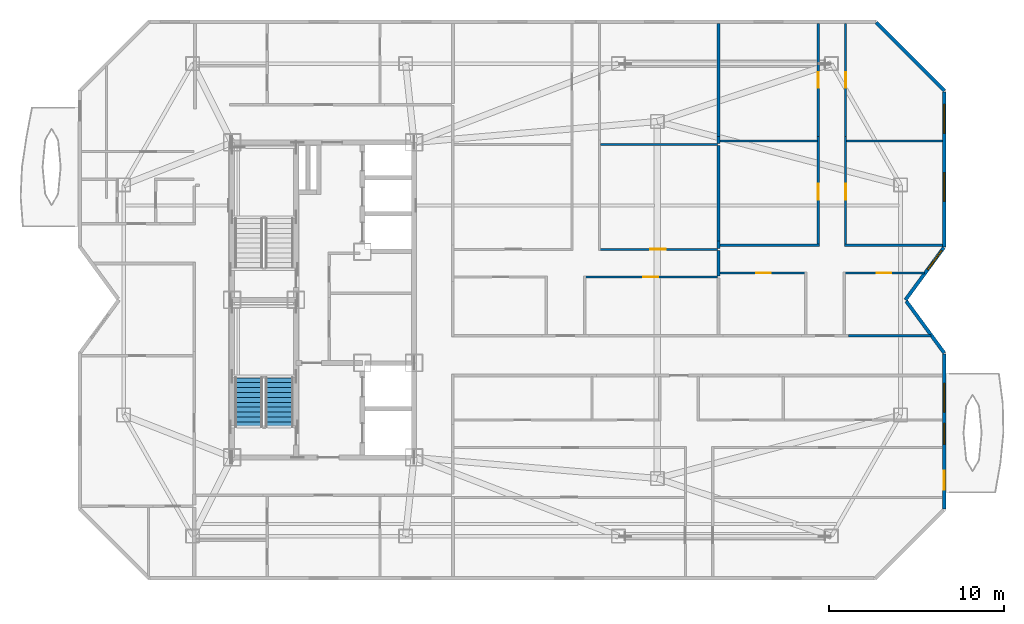
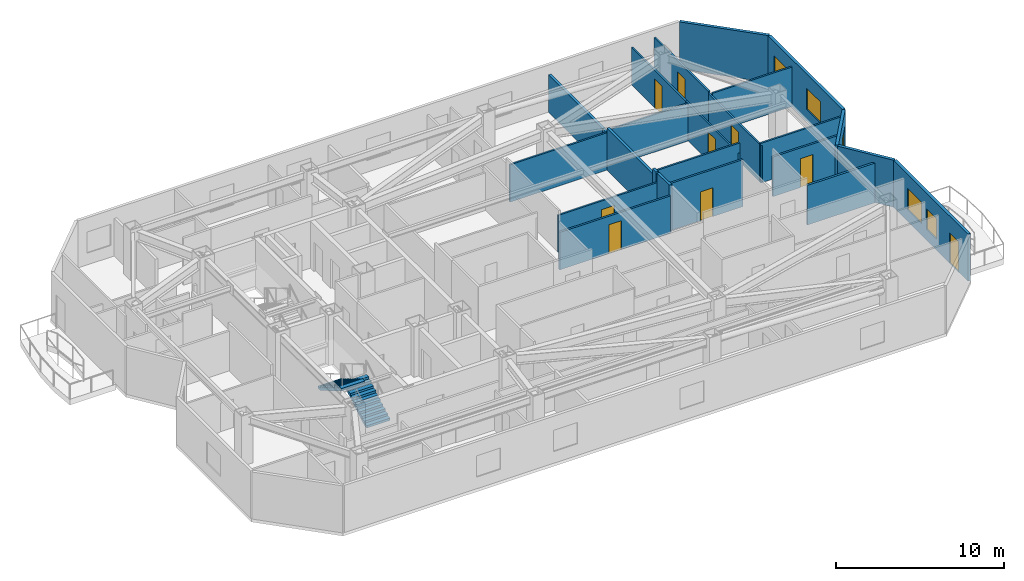
# One storey, part 8 of 11: 24 walls, 9 doors, 5 windows, 2 stair flights, 14 openings, 1 element without a shape of its own.
"""IFC4 building model written with IfcOpenShell, lengths in metres."""

from ifc_helpers import new_model, si_unit, direction, frame, frame_2d, origin, place, context, subcontext, project, spatial, polyline, rectangle, outline, extrude, material, layer, layer_set, type_object, element, fill, aggregate, save


model = new_model("IFC4")

# Units and contexts
model_context = context("Model", 3, precision=1e-05, world=origin(), true_north=direction((0.0, 1.0)))
body_context = subcontext(model_context, "Body", "Model", "MODEL_VIEW")
ifc_project = project(units=[si_unit("LENGTHUNIT", "METRE"), si_unit("AREAUNIT", "SQUARE_METRE"), si_unit("VOLUMEUNIT", "CUBIC_METRE"), si_unit("PLANEANGLEUNIT", "RADIAN"), si_unit("MASSUNIT", "GRAM", prefix="KILO")], contexts=[model_context])

# Site, building, storey
site_placement = place(None, origin())
site = spatial("IfcSite", under=ifc_project, at=site_placement, CompositionType="ELEMENT")
building_placement = place(site_placement, origin())
building = spatial("IfcBuilding", under=site, at=building_placement, Name="Khamvora Tower", CompositionType="ELEMENT")
storey_placement = place(building_placement, frame((0.0, 0.0, 239.10009765625)))
storey = spatial("IfcBuildingStorey", under=building, at=storey_placement, Name="L61", CompositionType="ELEMENT", Elevation=239.10009765625)

# Walls
ifc_material_1 = material(Name="Fire-Rated Drywall and Steel Stud", Category="steel")
ifc_layer_1 = layer(ifc_material_1, 0.14990234375)
ifc_layer_set_1 = layer_set([ifc_layer_1], Name="Fire-Rated Drywall and Steel Stud")
wall_type_1 = type_object("IfcWallType", Name="WAL-CORR-150", PredefinedType="STANDARD", material=ifc_layer_set_1)
wall_1_placement = place(storey_placement, frame((64.238037109375, 25.965087890625, 0.0), z_axis=(0.0, 0.0, 1.0), x_axis=(1.0, 0.0, 0.0)))
element("IfcWall", 1, at=wall_1_placement, inside=storey, type_object=wall_type_1, Name="L61 interior partition wall 034", PredefinedType="STANDARD", context=body_context, shape_type="SweptSolid", body=[
    extrude(rectangle(XDim=4.702880859375, YDim=0.14990234375, at=frame_2d((2.3515625, 0.0))), origin(), (0.0, 0.0, 1.0), 2.886962890625),
])
ifc_material_2 = material(Name="Acoustic Double-Stud Fire Wall", Category="gypsum")
ifc_layer_2 = layer(ifc_material_2, 0.179931640625)
ifc_layer_set_2 = layer_set([ifc_layer_2], Name="Acoustic Double-Stud Fire Wall")
wall_type_2 = type_object("IfcWallType", Name="WAL-CORR-180", PredefinedType="STANDARD", material=ifc_layer_set_2)
wall_2_placement = place(storey_placement, frame((56.804931640625, 30.824951171875, 0.0), z_axis=(0.0, 0.0, 1.0), x_axis=(0.0, -1.0, 0.0)))
element("IfcWall", 2, at=wall_2_placement, inside=storey, type_object=wall_type_2, Name="L61 interior partition wall 087", PredefinedType="STANDARD", context=body_context, shape_type="SweptSolid", body=[
    extrude(rectangle(XDim=1.449951171875, YDim=0.179931640625, at=frame_2d((0.72509765625, 0.0))), origin(), (0.0, 0.0, 1.0), 3.429931640625),
])
wall_3_placement = place(storey_placement, frame((56.804931640625, 31.3740234375, 0.0), z_axis=(0.0, 0.0, 1.0), x_axis=(0.0, -1.0, 0.0)))
element("IfcWall", 3, at=wall_3_placement, inside=storey, type_object=wall_type_2, Name="L61 interior partition wall 091", PredefinedType="STANDARD", context=body_context, shape_type="SweptSolid", body=[
    extrude(rectangle(XDim=0.4189453125, YDim=0.179931640625, at=frame_2d((0.20947265625, 0.0))), origin(), (0.0, 0.0, 1.0), 3.429931640625),
])
wall_4_placement = place(storey_placement, frame((56.804931640625, 36.822021484375, 0.0), z_axis=(0.0, 0.0, 1.0), x_axis=(0.0, -1.0, 0.0)))
element("IfcWall", 4, at=wall_4_placement, inside=storey, type_object=wall_type_2, Name="L61 interior partition wall 092", PredefinedType="STANDARD", context=body_context, shape_type="SweptSolid", body=[
    extrude(rectangle(XDim=5.447998046875, YDim=0.179931640625, at=frame_2d((2.72412109375, 0.0))), origin(), (0.0, 0.0, 1.0), 3.06494140625),
])
wall_5_placement = place(storey_placement, frame((56.804931640625, 37.339111328125, 0.0), z_axis=(0.0, 0.0, 1.0), x_axis=(0.0, -1.0, 0.0)))
element("IfcWall", 5, at=wall_5_placement, inside=storey, type_object=wall_type_2, Name="L61 interior partition wall 093", PredefinedType="STANDARD", context=body_context, shape_type="SweptSolid", body=[
    extrude(rectangle(XDim=0.38720703125, YDim=0.179931640625, at=frame_2d((0.193603515625, 0.0))), origin(), (0.0, 0.0, 1.0), 2.724853515625),
])
wall_6_placement = place(storey_placement, frame((56.804931640625, 43.80810546875, 0.0), z_axis=(0.0, 0.0, 1.0), x_axis=(0.0, -1.0, 0.0)))
element("IfcWall", 6, at=wall_6_placement, inside=storey, type_object=wall_type_2, Name="L61 interior partition wall 094", PredefinedType="STANDARD", context=body_context, shape_type="SweptSolid", body=[
    extrude(rectangle(XDim=6.468994140625, YDim=0.179931640625, at=frame_2d((3.234375, 0.0))), origin(), (0.0, 0.0, 1.0), 2.724853515625),
])
ifc_material_3 = material(Name="Precast concrete C40/50", Category="concrete")
ifc_layer_3 = layer(ifc_material_3, 0.199951171875)
ifc_layer_set_3 = layer_set([ifc_layer_3], Name="Precast concrete C40/50")
wall_type_3 = type_object("IfcWallType", Name="WAL-EXT-200", PredefinedType="STANDARD", material=ifc_layer_set_3)
wall_7_placement = place(storey_placement, frame((65.802001953125, 43.85693359375, 0.0), z_axis=(0.0, 0.0, 1.0), x_axis=(0.707106781187, -0.707106781187, 0.0)))
element("IfcWall", 7, at=wall_7_placement, inside=storey, type_object=wall_type_3, Name="L61 exterior facade wall 08.1", PredefinedType="STANDARD", context=body_context, shape_type="SweptSolid", body=[
    extrude(rectangle(XDim=5.512451171875, YDim=0.199951171875, at=frame_2d((2.75634765625, 0.0))), origin(), (0.0, 0.0, 1.0), 3.429931640625),
])

# Wall, openings, windows
wall_8_placement = place(storey_placement, frame((69.699951171875, 39.89599609375, 0.0), z_axis=(0.0, 0.0, 1.0), x_axis=(0.0, -1.0, 0.0)))
wall_8 = element("IfcWall", 8, at=wall_8_placement, inside=storey, type_object=wall_type_3, Name="L61 exterior facade wall 09.1", PredefinedType="STANDARD", context=body_context, shape_type="SweptSolid", body=[
    extrude(rectangle(XDim=8.863037109375, YDim=0.199951171875, at=frame_2d((4.431640625, 0.0))), origin(), (0.0, 0.0, 1.0), 3.429931640625),
])
opening_1_placement = place(wall_8_placement, frame((4.617919921875, 0.0, 0.85009765625)))
opening_1 = element("IfcOpeningElement", 9, at=opening_1_placement, cuts=wall_8, Name="Opening WN-06", PredefinedType="OPENING", context=body_context, shape_type="SweptSolid", body=[
    extrude(rectangle(XDim=1.64990234375, YDim=1.550048828125, at=frame_2d((0.824951171875, 0.77490234375))), frame((0.0, 0.10986328125, 0.0), z_axis=(0.0, -1.0, 0.0), x_axis=(1.0, 0.0, 0.0)), (0.0, 0.0, 1.0), 0.219970703125),
])
opening_2_placement = place(wall_8_placement, frame((0.720947265625, 0.0, 0.85009765625)))
opening_2 = element("IfcOpeningElement", 10, at=opening_2_placement, cuts=wall_8, Name="Opening WN-06", PredefinedType="OPENING", context=body_context, shape_type="SweptSolid", body=[
    extrude(rectangle(XDim=1.64990234375, YDim=1.550048828125, at=frame_2d((0.824951171875, 0.77490234375))), frame((0.0, 0.10986328125, 0.0), z_axis=(0.0, -1.0, 0.0), x_axis=(1.0, 0.0, 0.0)), (0.0, 0.0, 1.0), 0.219970703125),
])
ifc_material_4 = material(Name="Low-E Laminated Double Glazing", Category="glass")
window_type_1 = type_object("IfcWindowType", Name="WIN-VIS-1650x1550", PartitioningType="SINGLE_PANEL", PredefinedType="WINDOW", material=ifc_material_4)
window_1_placement = place(opening_1_placement, origin())
window_1 = element("IfcWindow", 11, at=window_1_placement, inside=storey, type_object=window_type_1, Name="L61 vision window 09.1.01", OverallHeight=1.550048828125, OverallWidth=1.64990234375, PartitioningType="SINGLE_PANEL", PredefinedType="WINDOW", context=body_context, shape_type="SweptSolid", body=[
    extrude(rectangle(XDim=1.64990234375, YDim=1.550048828125, at=frame_2d((0.824951171875, 0.77490234375))), frame((0.0, 0.030029296875, 0.0), z_axis=(0.0, -1.0, 0.0), x_axis=(1.0, 0.0, 0.0)), (0.0, 0.0, 1.0), 0.06005859375),
])
fill(opening_1, window_1)
window_2_placement = place(opening_2_placement, origin())
window_2 = element("IfcWindow", 12, at=window_2_placement, inside=storey, type_object=window_type_1, Name="L61 vision window 09.1.02", OverallHeight=1.550048828125, OverallWidth=1.64990234375, PartitioningType="SINGLE_PANEL", PredefinedType="WINDOW", context=body_context, shape_type="SweptSolid", body=[
    extrude(rectangle(XDim=1.64990234375, YDim=1.550048828125, at=frame_2d((0.824951171875, 0.77490234375))), frame((0.0, 0.030029296875, 0.0), z_axis=(0.0, -1.0, 0.0), x_axis=(1.0, 0.0, 0.0)), (0.0, 0.0, 1.0), 0.06005859375),
])
fill(opening_2, window_2)

# Wall, opening, window
wall_9_placement = place(storey_placement, frame((69.669921875, 30.991943359375, 0.0), z_axis=(0.0, 0.0, 1.0), x_axis=(-0.591320870733, -0.806436375566, 0.0)))
wall_9 = element("IfcWall", 13, at=wall_9_placement, inside=storey, type_object=wall_type_3, Name="L61 exterior facade wall 10.1", PredefinedType="STANDARD", context=body_context, shape_type="SweptSolid", body=[
    extrude(rectangle(XDim=3.7099609375, YDim=0.199951171875, at=frame_2d((1.85498046875, 0.0))), origin(), (0.0, 0.0, 1.0), 3.429931640625),
])
opening_3_placement = place(wall_9_placement, frame((0.208984375, 0.0, 0.85009765625)))
opening_3 = element("IfcOpeningElement", 14, at=opening_3_placement, cuts=wall_9, Name="Opening WN-07", PredefinedType="OPENING", context=body_context, shape_type="SweptSolid", body=[
    extrude(rectangle(XDim=1.35009765625, YDim=1.5, at=frame_2d((0.675048828125, 0.75))), frame((0.0, 0.10986328125, 0.0), z_axis=(0.0, -1.0, 0.0), x_axis=(1.0, 0.0, 0.0)), (0.0, 0.0, 1.0), 0.219970703125),
])
window_type_2 = type_object("IfcWindowType", Name="WIN-VIS-1350x1500", PartitioningType="SINGLE_PANEL", PredefinedType="WINDOW", material=ifc_material_4)
window_3_placement = place(opening_3_placement, origin())
window_3 = element("IfcWindow", 15, at=window_3_placement, inside=storey, type_object=window_type_2, Name="L61 vision window 10.1.01", OverallHeight=1.5, OverallWidth=1.35009765625, PartitioningType="SINGLE_PANEL", PredefinedType="WINDOW", context=body_context, shape_type="SweptSolid", body=[
    extrude(rectangle(XDim=1.35009765625, YDim=1.5, at=frame_2d((0.675048828125, 0.75))), frame((0.0, 0.030029296875, 0.0), z_axis=(0.0, -1.0, 0.0), x_axis=(1.0, 0.0, 0.0)), (0.0, 0.0, 1.0), 0.06005859375),
])
fill(opening_3, window_3)

# Wall
wall_10_placement = place(storey_placement, frame((67.527099609375, 27.930908203125, 0.0), z_axis=(0.0, 0.0, 1.0), x_axis=(0.591248456881, -0.80648946815, 0.0)))
element("IfcWall", 16, at=wall_10_placement, inside=storey, type_object=wall_type_3, Name="L61 exterior facade wall 11.1", PredefinedType="STANDARD", context=body_context, shape_type="SweptSolid", body=[
    extrude(rectangle(XDim=3.675048828125, YDim=0.199951171875, at=frame_2d((1.83740234375, 0.0))), origin(), (0.0, 0.0, 1.0), 3.429931640625),
])

# Wall, openings, door, windows
wall_11_placement = place(storey_placement, frame((69.699951171875, 24.916015625, 0.0), z_axis=(0.0, 0.0, 1.0), x_axis=(0.0, -1.0, 0.0)))
wall_11 = element("IfcWall", 17, at=wall_11_placement, inside=storey, type_object=wall_type_3, Name="L61 exterior facade wall 12.1", PredefinedType="STANDARD", context=body_context, shape_type="SweptSolid", body=[
    extrude(rectangle(XDim=8.875, YDim=0.199951171875, at=frame_2d((4.4375, 0.0))), origin(), (0.0, 0.0, 1.0), 3.429931640625),
])
opening_4_placement = place(wall_11_placement, frame((6.675048828125, 0.0, 0.0)))
opening_4 = element("IfcOpeningElement", 18, at=opening_4_placement, cuts=wall_11, Name="Opening BD-01", PredefinedType="OPENING", context=body_context, shape_type="SweptSolid", body=[
    extrude(rectangle(XDim=1.10009765625, YDim=2.199951171875, at=frame_2d((0.550048828125, 1.10009765625))), frame((0.0, 0.10986328125, 0.0), z_axis=(0.0, -1.0, 0.0), x_axis=(1.0, 0.0, 0.0)), (0.0, 0.0, 1.0), 0.219970703125),
])
opening_5_placement = place(wall_11_placement, frame((1.677001953125, 0.0, 0.85009765625)))
opening_5 = element("IfcOpeningElement", 19, at=opening_5_placement, cuts=wall_11, Name="Opening WN-06", PredefinedType="OPENING", context=body_context, shape_type="SweptSolid", body=[
    extrude(rectangle(XDim=1.64990234375, YDim=1.550048828125, at=frame_2d((0.824951171875, 0.77490234375))), frame((0.0, 0.10986328125, 0.0), z_axis=(0.0, -1.0, 0.0), x_axis=(1.0, 0.0, 0.0)), (0.0, 0.0, 1.0), 0.219970703125),
])
opening_6_placement = place(wall_11_placement, frame((3.962890625, 0.0, 0.800048828125)))
opening_6 = element("IfcOpeningElement", 20, at=opening_6_placement, cuts=wall_11, Name="Opening WN-03", PredefinedType="OPENING", context=body_context, shape_type="SweptSolid", body=[
    extrude(rectangle(XDim=1.199951171875, YDim=1.5, at=frame_2d((0.60009765625, 0.75))), frame((0.0, 0.10986328125, 0.0), z_axis=(0.0, -1.0, 0.0), x_axis=(1.0, 0.0, 0.0)), (0.0, 0.0, 1.0), 0.219970703125),
])
ifc_material_5 = material(Name="Anodised Aluminium and Laminated Safety Glass", Category="aluminium")
door_type_1 = type_object("IfcDoorType", Name="DOR-BAL-1100", OperationType="NOTDEFINED", PredefinedType="DOOR", material=ifc_material_5)
door_1_placement = place(opening_4_placement, origin())
door_1 = element("IfcDoor", 21, at=door_1_placement, inside=storey, type_object=door_type_1, Name="L61 lens gallery balcony door EL1", OperationType="SLIDING_TO_LEFT", OverallHeight=2.199951171875, OverallWidth=1.10009765625, PredefinedType="DOOR", context=body_context, shape_type="SweptSolid", body=[
    extrude(rectangle(XDim=1.10009765625, YDim=2.199951171875, at=frame_2d((0.550048828125, 1.10009765625))), frame((0.0, 0.02490234375, 0.0), z_axis=(0.0, -1.0, 0.0), x_axis=(1.0, 0.0, 0.0)), (0.0, 0.0, 1.0), 0.050048828125),
])
fill(opening_4, door_1)
window_type_3 = type_object("IfcWindowType", Name="WIN-VIS-1200x1500", PartitioningType="SINGLE_PANEL", PredefinedType="WINDOW", material=ifc_material_4)
window_4_placement = place(opening_6_placement, origin())
window_4 = element("IfcWindow", 22, at=window_4_placement, inside=storey, type_object=window_type_3, Name="L61 vision window 12.1.02", OverallHeight=1.5, OverallWidth=1.199951171875, PartitioningType="SINGLE_PANEL", PredefinedType="WINDOW", context=body_context, shape_type="SweptSolid", body=[
    extrude(rectangle(XDim=1.199951171875, YDim=1.5, at=frame_2d((0.60009765625, 0.75))), frame((0.0, 0.030029296875, 0.0), z_axis=(0.0, -1.0, 0.0), x_axis=(1.0, 0.0, 0.0)), (0.0, 0.0, 1.0), 0.06005859375),
])
fill(opening_6, window_4)
window_5_placement = place(opening_5_placement, origin())
window_5 = element("IfcWindow", 23, at=window_5_placement, inside=storey, type_object=window_type_1, Name="L61 vision window 12.1.01", OverallHeight=1.550048828125, OverallWidth=1.64990234375, PartitioningType="SINGLE_PANEL", PredefinedType="WINDOW", context=body_context, shape_type="SweptSolid", body=[
    extrude(rectangle(XDim=1.64990234375, YDim=1.550048828125, at=frame_2d((0.824951171875, 0.77490234375))), frame((0.0, 0.030029296875, 0.0), z_axis=(0.0, -1.0, 0.0), x_axis=(1.0, 0.0, 0.0)), (0.0, 0.0, 1.0), 0.06005859375),
])
fill(opening_5, window_5)

# Wall, opening, door
ifc_material_6 = material(Name="Gypsum Plasterboard Partition", Category="gypsum")
ifc_layer_4 = layer(ifc_material_6, 0.1201171875)
ifc_layer_set_4 = layer_set([ifc_layer_4], Name="Gypsum Plasterboard Partition")
wall_type_4 = type_object("IfcWallType", Name="WAL-PART-120", PredefinedType="PARTITIONING", material=ifc_layer_set_4)
wall_12_placement = place(storey_placement, frame((49.929931640625, 30.889892578125, 0.0), z_axis=(0.0, 0.0, 1.0), x_axis=(1.0, 0.0, 0.0)))
wall_12 = element("IfcWall", 24, at=wall_12_placement, inside=storey, type_object=wall_type_4, Name="L61 interior partition wall 085", PredefinedType="PARTITIONING", context=body_context, shape_type="SweptSolid", body=[
    extrude(rectangle(XDim=6.81005859375, YDim=0.1201171875, at=frame_2d((3.405029296875, 0.0))), origin(), (0.0, 0.0, 1.0), 2.724853515625),
])
opening_7_placement = place(wall_12_placement, frame((2.955078125, 0.0, 0.0)))
opening_7 = element("IfcOpeningElement", 25, at=opening_7_placement, cuts=wall_12, Name="Opening D-RM1", PredefinedType="OPENING", context=body_context, shape_type="SweptSolid", body=[
    extrude(rectangle(XDim=0.89990234375, YDim=2.10009765625, at=frame_2d((0.449951171875, 1.050048828125))), frame((0.0, 0.070068359375, 0.0), z_axis=(0.0, -1.0, 0.0), x_axis=(1.0, 0.0, 0.0)), (0.0, 0.0, 1.0), 0.14013671875),
])
ifc_material_7 = material(Name="Powder-Coated Steel and Hardwood Leaf", Category="steel")
door_type_2 = type_object("IfcDoorType", Name="DOR-ROOM-900", OperationType="NOTDEFINED", PredefinedType="DOOR", material=ifc_material_7)
door_2_placement = place(opening_7_placement, origin())
door_2 = element("IfcDoor", 26, at=door_2_placement, inside=storey, type_object=door_type_2, Name="L61 interior door 61EB1H-61EB1R3", OperationType="SINGLE_SWING_RIGHT", OverallHeight=2.10009765625, OverallWidth=0.89990234375, PredefinedType="DOOR", context=body_context, shape_type="SweptSolid", body=[
    extrude(rectangle(XDim=0.89990234375, YDim=2.10009765625, at=frame_2d((0.449951171875, 1.050048828125))), frame((0.0, 0.02490234375, 0.0), z_axis=(0.0, -1.0, 0.0), x_axis=(1.0, 0.0, 0.0)), (0.0, 0.0, 1.0), 0.050048828125),
])
fill(opening_7, door_2)

# Walls
wall_13_placement = place(storey_placement, frame((50.049072265625, 36.886962890625, 0.0), z_axis=(0.0, 0.0, 1.0), x_axis=(1.0, 0.0, 0.0)))
element("IfcWall", 27, at=wall_13_placement, inside=storey, type_object=wall_type_4, Name="L61 interior partition wall 090", PredefinedType="PARTITIONING", context=body_context, shape_type="SweptSolid", body=[
    extrude(rectangle(XDim=6.69091796875, YDim=0.1201171875, at=frame_2d((3.345458984375, 0.0))), origin(), (0.0, 0.0, 1.0), 2.724853515625),
])
wall_14_placement = place(storey_placement, frame((56.886962890625, 31.125, 0.0), z_axis=(0.0, 0.0, 1.0), x_axis=(1.0, 0.0, 0.0)))
element("IfcWall", 28, at=wall_14_placement, inside=storey, type_object=wall_type_4, Name="L61 interior partition wall 099", PredefinedType="PARTITIONING", context=body_context, shape_type="SweptSolid", body=[
    extrude(rectangle(XDim=5.673095703125, YDim=0.1201171875, at=frame_2d((2.83642578125, 0.0))), origin(), (0.0, 0.0, 1.0), 3.429931640625),
])

# Wall, opening, door
wall_15_placement = place(storey_placement, frame((62.4951171875, 31.06005859375, 0.0), z_axis=(0.0, 0.0, 1.0), x_axis=(0.0, 1.0, 0.0)))
wall_15 = element("IfcWall", 29, at=wall_15_placement, inside=storey, type_object=wall_type_4, Name="L61 interior partition wall 100", PredefinedType="PARTITIONING", context=body_context, shape_type="SweptSolid", body=[
    extrude(rectangle(XDim=6.279052734375, YDim=0.1201171875, at=frame_2d((3.1396484375, 0.0))), origin(), (0.0, 0.0, 1.0), 2.724853515625),
])
opening_8_placement = place(wall_15_placement, frame((2.66796875, 0.0, 0.0)))
opening_8 = element("IfcOpeningElement", 30, at=opening_8_placement, cuts=wall_15, Name="Opening D-RM1", PredefinedType="OPENING", context=body_context, shape_type="SweptSolid", body=[
    extrude(rectangle(XDim=0.89990234375, YDim=2.10009765625, at=frame_2d((0.449951171875, 1.050048828125))), frame((0.0, 0.070068359375, 0.0), z_axis=(0.0, -1.0, 0.0), x_axis=(1.0, 0.0, 0.0)), (0.0, 0.0, 1.0), 0.14013671875),
])
door_3_placement = place(opening_8_placement, origin())
door_3 = element("IfcDoor", 31, at=door_3_placement, inside=storey, type_object=door_type_2, Name="L61 interior door 61EB2H-61EB2L", OperationType="SINGLE_SWING_RIGHT", OverallHeight=2.10009765625, OverallWidth=0.89990234375, PredefinedType="DOOR", context=body_context, shape_type="SweptSolid", body=[
    extrude(rectangle(XDim=0.89990234375, YDim=2.10009765625, at=frame_2d((0.449951171875, 1.050048828125))), frame((0.0, 0.02490234375, 0.0), z_axis=(0.0, -1.0, 0.0), x_axis=(1.0, 0.0, 0.0)), (0.0, 0.0, 1.0), 0.050048828125),
])
fill(opening_8, door_3)

wall_16_placement = place(storey_placement, frame((62.4951171875, 37.339111328125, 0.0), z_axis=(0.0, 0.0, 1.0), x_axis=(0.0, 1.0, 0.0)))
wall_16 = element("IfcWall", 32, at=wall_16_placement, inside=storey, type_object=wall_type_4, Name="L61 interior partition wall 101", PredefinedType="PARTITIONING", context=body_context, shape_type="SweptSolid", body=[
    extrude(rectangle(XDim=6.468994140625, YDim=0.1201171875, at=frame_2d((3.234375, 0.0))), origin(), (0.0, 0.0, 1.0), 2.724853515625),
])
opening_9_placement = place(wall_16_placement, frame((2.783935546875, 0.0, 0.0)))
opening_9 = element("IfcOpeningElement", 33, at=opening_9_placement, cuts=wall_16, Name="Opening D-RM1", PredefinedType="OPENING", context=body_context, shape_type="SweptSolid", body=[
    extrude(rectangle(XDim=0.89990234375, YDim=2.10009765625, at=frame_2d((0.449951171875, 1.050048828125))), frame((0.0, 0.070068359375, 0.0), z_axis=(0.0, -1.0, 0.0), x_axis=(1.0, 0.0, 0.0)), (0.0, 0.0, 1.0), 0.14013671875),
])
door_4_placement = place(opening_9_placement, origin())
door_4 = element("IfcDoor", 34, at=door_4_placement, inside=storey, type_object=door_type_2, Name="L61 interior door 61EB2H-61EB2R2", OperationType="SINGLE_SWING_LEFT", OverallHeight=2.10009765625, OverallWidth=0.89990234375, PredefinedType="DOOR", context=body_context, shape_type="SweptSolid", body=[
    extrude(rectangle(XDim=0.89990234375, YDim=2.10009765625, at=frame_2d((0.449951171875, 1.050048828125))), frame((0.0, 0.02490234375, 0.0), z_axis=(0.0, -1.0, 0.0), x_axis=(1.0, 0.0, 0.0)), (0.0, 0.0, 1.0), 0.050048828125),
])
fill(opening_9, door_4)

wall_17_placement = place(storey_placement, frame((64.06494140625, 37.339111328125, 0.0), z_axis=(0.0, 0.0, 1.0), x_axis=(0.0, -1.0, 0.0)))
wall_17 = element("IfcWall", 35, at=wall_17_placement, inside=storey, type_object=wall_type_4, Name="L61 interior partition wall 102", PredefinedType="PARTITIONING", context=body_context, shape_type="SweptSolid", body=[
    extrude(rectangle(XDim=6.279052734375, YDim=0.1201171875, at=frame_2d((3.1396484375, 0.0))), origin(), (0.0, 0.0, 1.0), 2.724853515625),
])
opening_10_placement = place(wall_17_placement, frame((2.7109375, 0.0, 0.0)))
opening_10 = element("IfcOpeningElement", 36, at=opening_10_placement, cuts=wall_17, Name="Opening D-RM1", PredefinedType="OPENING", context=body_context, shape_type="SweptSolid", body=[
    extrude(rectangle(XDim=0.89990234375, YDim=2.10009765625, at=frame_2d((0.449951171875, 1.050048828125))), frame((0.0, 0.070068359375, 0.0), z_axis=(0.0, -1.0, 0.0), x_axis=(1.0, 0.0, 0.0)), (0.0, 0.0, 1.0), 0.14013671875),
])
door_5_placement = place(opening_10_placement, origin())
door_5 = element("IfcDoor", 37, at=door_5_placement, inside=storey, type_object=door_type_2, Name="L61 interior door 61EB2H-61EB2R3", OperationType="SINGLE_SWING_RIGHT", OverallHeight=2.10009765625, OverallWidth=0.89990234375, PredefinedType="DOOR", context=body_context, shape_type="SweptSolid", body=[
    extrude(rectangle(XDim=0.89990234375, YDim=2.10009765625, at=frame_2d((0.449951171875, 1.050048828125))), frame((0.0, 0.02490234375, 0.0), z_axis=(0.0, -1.0, 0.0), x_axis=(1.0, 0.0, 0.0)), (0.0, 0.0, 1.0), 0.050048828125),
])
fill(opening_10, door_5)

# Wall
wall_18_placement = place(storey_placement, frame((64.0, 31.125, 0.0), z_axis=(0.0, 0.0, 1.0), x_axis=(1.0, 0.0, 0.0)))
element("IfcWall", 38, at=wall_18_placement, inside=storey, type_object=wall_type_4, Name="L61 interior partition wall 103", PredefinedType="PARTITIONING", context=body_context, shape_type="SweptSolid", body=[
    extrude(rectangle(XDim=5.60791015625, YDim=0.1201171875, at=frame_2d((2.803955078125, 0.0))), origin(), (0.0, 0.0, 1.0), 2.886962890625),
])

# Wall, opening, door
wall_19_placement = place(storey_placement, frame((64.06494140625, 43.80810546875, 0.0), z_axis=(0.0, 0.0, 1.0), x_axis=(0.0, -1.0, 0.0)))
wall_19 = element("IfcWall", 39, at=wall_19_placement, inside=storey, type_object=wall_type_4, Name="L61 interior partition wall 104", PredefinedType="PARTITIONING", context=body_context, shape_type="SweptSolid", body=[
    extrude(rectangle(XDim=6.468994140625, YDim=0.1201171875, at=frame_2d((3.234375, 0.0))), origin(), (0.0, 0.0, 1.0), 2.886962890625),
])
opening_11_placement = place(wall_19_placement, frame((2.783935546875, 0.0, 0.0)))
opening_11 = element("IfcOpeningElement", 40, at=opening_11_placement, cuts=wall_19, Name="Opening D-RM1", PredefinedType="OPENING", context=body_context, shape_type="SweptSolid", body=[
    extrude(rectangle(XDim=0.89990234375, YDim=2.10009765625, at=frame_2d((0.449951171875, 1.050048828125))), frame((0.0, 0.070068359375, 0.0), z_axis=(0.0, -1.0, 0.0), x_axis=(1.0, 0.0, 0.0)), (0.0, 0.0, 1.0), 0.14013671875),
])
door_6_placement = place(opening_11_placement, origin())
door_6 = element("IfcDoor", 41, at=door_6_placement, inside=storey, type_object=door_type_2, Name="L61 interior door 61EB2H-61EB2R4", OperationType="SINGLE_SWING_RIGHT", OverallHeight=2.10009765625, OverallWidth=0.89990234375, PredefinedType="DOOR", context=body_context, shape_type="SweptSolid", body=[
    extrude(rectangle(XDim=0.89990234375, YDim=2.10009765625, at=frame_2d((0.449951171875, 1.050048828125))), frame((0.0, 0.02490234375, 0.0), z_axis=(0.0, -1.0, 0.0), x_axis=(1.0, 0.0, 0.0)), (0.0, 0.0, 1.0), 0.050048828125),
])
fill(opening_11, door_6)

# Walls
wall_20_placement = place(storey_placement, frame((56.886962890625, 37.089111328125, 0.0), z_axis=(0.0, 0.0, 1.0), x_axis=(1.0, 0.0, 0.0)))
element("IfcWall", 42, at=wall_20_placement, inside=storey, type_object=wall_type_4, Name="L61 interior partition wall 105", PredefinedType="PARTITIONING", context=body_context, shape_type="SweptSolid", body=[
    extrude(rectangle(XDim=5.553955078125, YDim=0.1201171875, at=frame_2d((2.77685546875, 0.0))), origin(), (0.0, 0.0, 1.0), 2.724853515625),
])
wall_21_placement = place(storey_placement, frame((64.118896484375, 37.089111328125, 0.0), z_axis=(0.0, 0.0, 1.0), x_axis=(1.0, 0.0, 0.0)))
element("IfcWall", 43, at=wall_21_placement, inside=storey, type_object=wall_type_4, Name="L61 interior partition wall 106", PredefinedType="PARTITIONING", context=body_context, shape_type="SweptSolid", body=[
    extrude(rectangle(XDim=5.489013671875, YDim=0.1201171875, at=frame_2d((2.74462890625, 0.0))), origin(), (0.0, 0.0, 1.0), 2.886962890625),
])

# Wall, opening, door
ifc_material_8 = material(Name="Moisture-Resistant Plasterboard Partition", Category="gypsum")
ifc_layer_5 = layer(ifc_material_8, 0.135009765625)
ifc_layer_set_5 = layer_set([ifc_layer_5], Name="Moisture-Resistant Plasterboard Partition")
wall_type_5 = type_object("IfcWallType", Name="WAL-WET-135", PredefinedType="PARTITIONING", material=ifc_layer_set_5)
wall_22_placement = place(storey_placement, frame((56.739990234375, 29.31005859375, 0.0), z_axis=(0.0, 0.0, 1.0), x_axis=(-1.0, 0.0, 0.0)))
wall_22 = element("IfcWall", 44, at=wall_22_placement, inside=storey, type_object=wall_type_5, Name="L61 interior partition wall 079", PredefinedType="PARTITIONING", context=body_context, shape_type="SweptSolid", body=[
    extrude(rectangle(XDim=7.64501953125, YDim=0.135009765625, at=frame_2d((3.822509765625, 0.0))), origin(), (0.0, 0.0, 1.0), 2.724853515625),
])
opening_12_placement = place(wall_22_placement, frame((3.39697265625, 0.0, 0.0)))
opening_12 = element("IfcOpeningElement", 45, at=opening_12_placement, cuts=wall_22, Name="Opening D-RM2", PredefinedType="OPENING", context=body_context, shape_type="SweptSolid", body=[
    extrude(rectangle(XDim=0.85009765625, YDim=2.10009765625, at=frame_2d((0.425048828125, 1.050048828125))), frame((0.0, 0.077392578125, 0.0), z_axis=(0.0, -1.0, 0.0), x_axis=(1.0, 0.0, 0.0)), (0.0, 0.0, 1.0), 0.155029296875),
])
door_type_3 = type_object("IfcDoorType", Name="DOR-ROOM-850", OperationType="NOTDEFINED", PredefinedType="DOOR", material=ifc_material_7)
door_7_placement = place(opening_12_placement, origin())
door_7 = element("IfcDoor", 46, at=door_7_placement, inside=storey, type_object=door_type_3, Name="L61 interior door 61EB1H-61EB1K", OperationType="SINGLE_SWING_LEFT", OverallHeight=2.10009765625, OverallWidth=0.85009765625, PredefinedType="DOOR", context=body_context, shape_type="SweptSolid", body=[
    extrude(rectangle(XDim=0.85009765625, YDim=2.10009765625, at=frame_2d((0.425048828125, 1.050048828125))), frame((0.0, 0.02490234375, 0.0), z_axis=(0.0, -1.0, 0.0), x_axis=(1.0, 0.0, 0.0)), (0.0, 0.0, 1.0), 0.050048828125),
])
fill(opening_12, door_7)

wall_23_placement = place(storey_placement, frame((68.580078125, 29.544921875, 0.0), z_axis=(0.0, 0.0, 1.0), x_axis=(-1.0, 0.0, 0.0)))
wall_23 = element("IfcWall", 47, at=wall_23_placement, inside=storey, type_object=wall_type_5, Name="L61 interior partition wall 096", PredefinedType="PARTITIONING", context=body_context, shape_type="SweptSolid", body=[
    extrude(rectangle(XDim=4.656005859375, YDim=0.135009765625, at=frame_2d((2.328125, 0.0))), origin(), (0.0, 0.0, 1.0), 2.886962890625),
])
opening_13_placement = place(wall_23_placement, frame((1.903076171875, 0.0, 0.0)))
opening_13 = element("IfcOpeningElement", 48, at=opening_13_placement, cuts=wall_23, Name="Opening D-WC1", PredefinedType="OPENING", context=body_context, shape_type="SweptSolid", body=[
    extrude(rectangle(XDim=0.85009765625, YDim=2.10009765625, at=frame_2d((0.425048828125, 1.050048828125))), frame((0.0, 0.077392578125, 0.0), z_axis=(0.0, -1.0, 0.0), x_axis=(1.0, 0.0, 0.0)), (0.0, 0.0, 1.0), 0.155029296875),
])
door_type_4 = type_object("IfcDoorType", Name="DOR-WET-850", OperationType="NOTDEFINED", PredefinedType="DOOR", material=ifc_material_7)
door_8_placement = place(opening_13_placement, origin())
door_8 = element("IfcDoor", 49, at=door_8_placement, inside=storey, type_object=door_type_4, Name="L61 interior door 61EB2H-61EB2B", OperationType="SINGLE_SWING_RIGHT", OverallHeight=2.10009765625, OverallWidth=0.85009765625, PredefinedType="DOOR", context=body_context, shape_type="SweptSolid", body=[
    extrude(rectangle(XDim=0.85009765625, YDim=2.10009765625, at=frame_2d((0.425048828125, 1.050048828125))), frame((0.0, 0.02490234375, 0.0), z_axis=(0.0, -1.0, 0.0), x_axis=(1.0, 0.0, 0.0)), (0.0, 0.0, 1.0), 0.050048828125),
])
fill(opening_13, door_8)

wall_24_placement = place(storey_placement, frame((61.85400390625, 29.544921875, 0.0), z_axis=(0.0, 0.0, 1.0), x_axis=(-1.0, 0.0, 0.0)))
wall_24 = element("IfcWall", 50, at=wall_24_placement, inside=storey, type_object=wall_type_5, Name="L61 interior partition wall 098", PredefinedType="PARTITIONING", context=body_context, shape_type="SweptSolid", body=[
    extrude(rectangle(XDim=4.967041015625, YDim=0.135009765625, at=frame_2d((2.4833984375, 0.0))), origin(), (0.0, 0.0, 1.0), 3.429931640625),
])
opening_14_placement = place(wall_24_placement, frame((2.05810546875, 0.0, 0.0)))
opening_14 = element("IfcOpeningElement", 51, at=opening_14_placement, cuts=wall_24, Name="Opening D-RM2", PredefinedType="OPENING", context=body_context, shape_type="SweptSolid", body=[
    extrude(rectangle(XDim=0.85009765625, YDim=2.10009765625, at=frame_2d((0.425048828125, 1.050048828125))), frame((0.0, 0.077392578125, 0.0), z_axis=(0.0, -1.0, 0.0), x_axis=(1.0, 0.0, 0.0)), (0.0, 0.0, 1.0), 0.155029296875),
])
door_9_placement = place(opening_14_placement, origin())
door_9 = element("IfcDoor", 52, at=door_9_placement, inside=storey, type_object=door_type_3, Name="L61 interior door 61EB2H-61EB2K", OperationType="SINGLE_SWING_LEFT", OverallHeight=2.10009765625, OverallWidth=0.85009765625, PredefinedType="DOOR", context=body_context, shape_type="SweptSolid", body=[
    extrude(rectangle(XDim=0.85009765625, YDim=2.10009765625, at=frame_2d((0.425048828125, 1.050048828125))), frame((0.0, 0.02490234375, 0.0), z_axis=(0.0, -1.0, 0.0), x_axis=(1.0, 0.0, 0.0)), (0.0, 0.0, 1.0), 0.050048828125),
])
fill(opening_14, door_9)

# Stair, stair flights
ifc_material_9 = material(Name="Concrete C40/50", Category="concrete")
stair_type = type_object("IfcStairType", Name="STR-ST-01", PredefinedType="HALF_TURN_STAIR", material=ifc_material_9)
stair_placement = place(storey_placement, origin())
stair = element("IfcStair", 53, at=stair_placement, inside=storey, type_object=stair_type, Name="L61 South Tower Exit Stair ST-01", PredefinedType="HALF_TURN_STAIR")
stair_flight_type = type_object("IfcStairFlightType", Name="STF-ST-01", PredefinedType="STRAIGHT", material=ifc_material_9)
stair_flight_1_placement = place(storey_placement, frame((31.699951171875, 20.75, 0.0), z_axis=(0.0, 0.0, 1.0), x_axis=(0.0, 1.0, 0.0)))
stair_flight_1 = element("IfcStairFlight", 54, at=stair_flight_1_placement, type_object=stair_flight_type, Name="ST-01 flight 1", NumberOfRisers=11, NumberOfTreads=10, PredefinedType="STRAIGHT", RiserHeight=0.165909091, TreadLength=0.28, context=body_context, shape_type="SweptSolid", body=[
    extrude(outline(polyline([(0.0, 0.0), (0.0, 0.166015625), (0.280029296875, 0.166015625), (0.280029296875, 0.331787109375), (0.56005859375, 0.331787109375), (0.56005859375, 0.497802734375), (0.840087890625, 0.497802734375), (0.840087890625, 0.66357421875), (1.1201171875, 0.66357421875), (1.1201171875, 0.82958984375), (1.39990234375, 0.82958984375), (1.39990234375, 0.995361328125), (1.679931640625, 0.995361328125), (1.679931640625, 1.161376953125), (1.9599609375, 1.161376953125), (1.9599609375, 1.327392578125), (2.239990234375, 1.327392578125), (2.239990234375, 1.4931640625), (2.52001953125, 1.4931640625), (2.52001953125, 1.6591796875), (2.800048828125, 1.6591796875), (2.800048828125, 1.824951171875), (2.800048828125, 1.48486328125), (0.2939453125, 0.0), (0.0, 0.0)])), frame((0.0, 0.800048828125, 0.0), z_axis=(0.0, -1.0, 0.0), x_axis=(1.0, 0.0, 0.0)), (0.0, 0.0, 1.0), 1.60009765625),
])
stair_flight_2_placement = place(storey_placement, frame((29.949951171875, 23.550048828125, 1.824951171875), z_axis=(0.0, 0.0, 1.0), x_axis=(0.0, -1.0, 0.0)))
stair_flight_2 = element("IfcStairFlight", 55, at=stair_flight_2_placement, type_object=stair_flight_type, Name="ST-01 flight 2", NumberOfRisers=11, NumberOfTreads=10, PredefinedType="STRAIGHT", RiserHeight=0.165909091, TreadLength=0.28, context=body_context, shape_type="SweptSolid", body=[
    extrude(outline(polyline([(0.0, 0.0), (0.0, 0.166015625), (0.280029296875, 0.166015625), (0.280029296875, 0.331787109375), (0.56005859375, 0.331787109375), (0.56005859375, 0.497802734375), (0.840087890625, 0.497802734375), (0.840087890625, 0.66357421875), (1.1201171875, 0.66357421875), (1.1201171875, 0.82958984375), (1.39990234375, 0.82958984375), (1.39990234375, 0.995361328125), (1.679931640625, 0.995361328125), (1.679931640625, 1.161376953125), (1.9599609375, 1.161376953125), (1.9599609375, 1.327392578125), (2.239990234375, 1.327392578125), (2.239990234375, 1.4931640625), (2.52001953125, 1.4931640625), (2.52001953125, 1.6591796875), (2.800048828125, 1.6591796875), (2.800048828125, 1.824951171875), (2.800048828125, 1.48486328125), (0.2939453125, 0.0), (0.0, 0.0)])), frame((0.0, 0.800048828125, 0.0), z_axis=(0.0, -1.0, 0.0), x_axis=(1.0, 0.0, 0.0)), (0.0, 0.0, 1.0), 1.60009765625),
])
aggregate(stair, [stair_flight_1, stair_flight_2])

save(model, "model.ifc")
